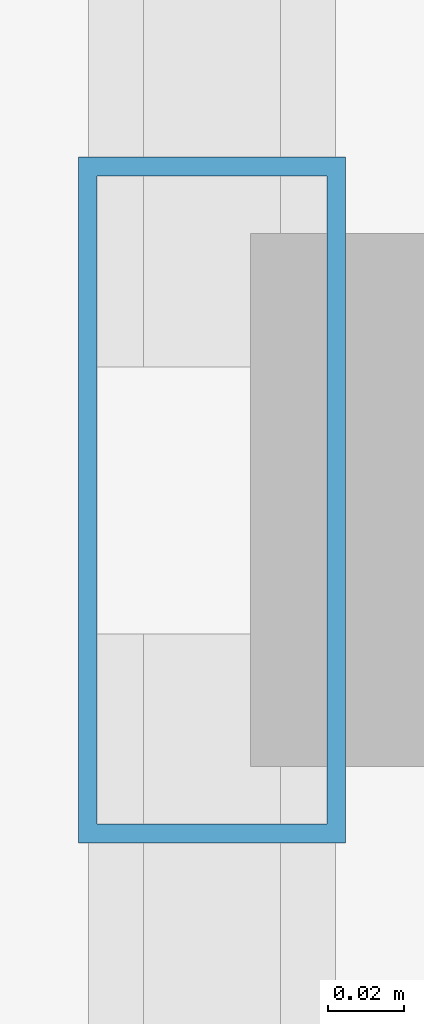
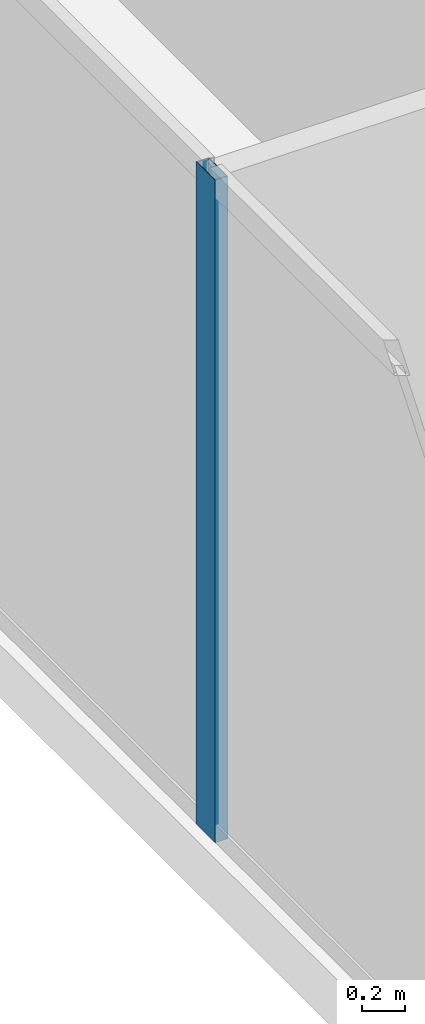
# One storey, part 9 of 33: 1 member, 1 element without a shape of its own.
"""IFC4 building model written with IfcOpenShell, lengths in metres."""

from ifc_helpers import new_model, si_unit, direction, frame, origin, origin_2d, place, context, subcontext, project, spatial, hollow_rectangle, extrude, source, transform, mapped, material, layer, layer_set, material_profile, profile_set, type_object, type_shapes, element, aggregate, save


model = new_model("IFC4")

# Units and contexts
model_context = context("Model", 3, precision=1e-05, world=origin(), true_north=direction((0.0, 1.0)))
body_context = subcontext(model_context, "Body", "Model", "MODEL_VIEW")
ifc_project = project(units=[si_unit("LENGTHUNIT", "METRE"), si_unit("AREAUNIT", "SQUARE_METRE"), si_unit("VOLUMEUNIT", "CUBIC_METRE"), si_unit("PLANEANGLEUNIT", "RADIAN"), si_unit("MASSUNIT", "GRAM", prefix="KILO")], contexts=[model_context])

# Site, building, storey
site_placement = place(None, origin())
site = spatial("IfcSite", under=ifc_project, at=site_placement, CompositionType="ELEMENT")
building_placement = place(site_placement, origin())
building = spatial("IfcBuilding", under=site, at=building_placement, Name="Haelvirn Gate Laboratories", CompositionType="ELEMENT")
storey_placement = place(building_placement, frame((0.0, 0.0, 267.0)))
storey = spatial("IfcBuildingStorey", under=building, at=storey_placement, Name="L64", CompositionType="ELEMENT", Elevation=267.0)

# Curtain wall, member
ifc_material_1 = material(Name="Anodised bronze unitised aluminium & triple low-E glass", Category="aluminium")
ifc_layer = layer(ifc_material_1, 0.176025390625, Name="CW-SYS-4")
ifc_layer_set = layer_set([ifc_layer], Name="Anodised bronze unitised aluminium & triple low-E glass")
curtain_wall_type = type_object("IfcCurtainWallType", Name="CW-SYS-4", PredefinedType="NOTDEFINED", material=ifc_layer_set)
curtain_wall_placement = place(storey_placement, origin())
curtain_wall = element("IfcCurtainWall", 1, at=curtain_wall_placement, inside=storey, type_object=curtain_wall_type, Name="L64 Unitised Curtain Wall CW-L64-P0-E17", PredefinedType="NOTDEFINED")
ifc_material_2 = material(Name="Extruded aluminium 6063-T6 (anodised bronze)", Category="aluminium")
ifc_material_profile = material_profile(ifc_material_2, hollow_rectangle(XDim=0.070068359375, YDim=0.179931640625, WallThickness=0.0048828125, at=origin_2d()), Name="CWM-180x70x5")
ifc_profile_set = profile_set([ifc_material_profile], Name="Extruded aluminium 6063-T6 (anodised bronze)")
member_type = type_object("IfcMemberType", Name="CWM-T180", PredefinedType="MULLION", material=ifc_profile_set)
shared_shape = source(origin(), body_context, "Body", "SweptSolid", [
    extrude(hollow_rectangle(XDim=0.070068359375, YDim=0.179931640625, WallThickness=0.0048828125, at=origin_2d()), origin(), (0.0, 0.0, 1.0), 3.800048828125),
])
type_shapes(member_type, [shared_shape])
member_placement = place(storey_placement, frame((4.10009765625, 24.300048828125, 0.0), z_axis=(0.0, 0.0, 1.0), x_axis=(1.0, 0.0, 0.0)))
member = element("IfcMember", 2, at=member_placement, type_object=member_type, Name="CW4 mullion 2", PredefinedType="MULLION", context=body_context, shape_type="MappedRepresentation", body=[
    mapped(shared_shape, transform((0.0, 0.0, 0.0), scale=1.0)),
])
aggregate(curtain_wall, [member])

save(model, "model.ifc")
